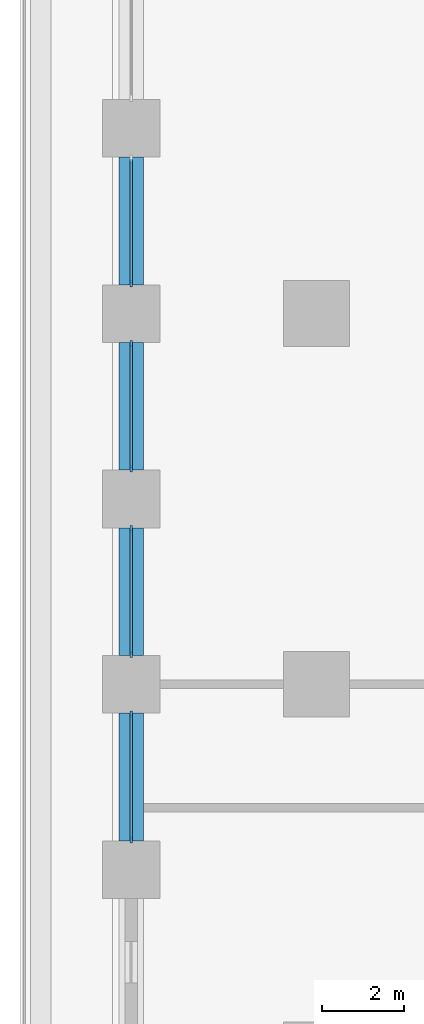
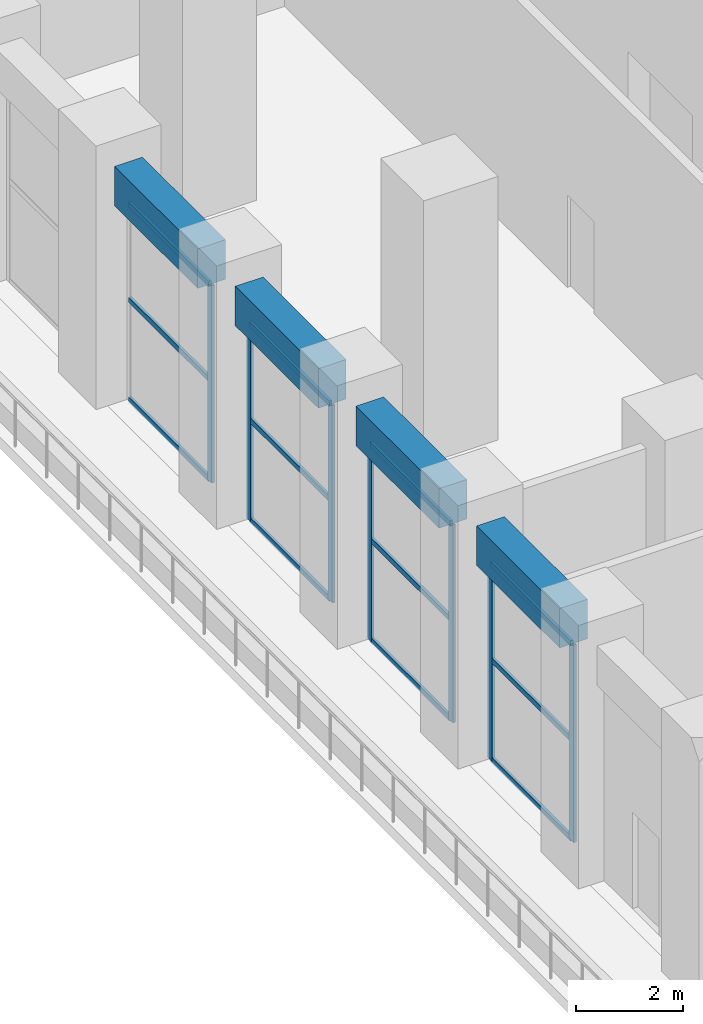
# One storey, part 3 of 19: 19 members, 4 beams, 4 elements without a shape of their own.
"""IFC4 building model written with IfcOpenShell, lengths in metres."""

from ifc_helpers import new_model, si_unit, direction, frame, origin, origin_2d, place, context, subcontext, project, spatial, rectangle, extrude, material, material_profile, profile_set, type_object, element, aggregate, save


model = new_model("IFC4")

# Units and contexts
model_context = context("Model", 3, precision=1e-05, world=origin(), true_north=direction((0.0, 1.0)))
body_context = subcontext(model_context, "Body", "Model", "MODEL_VIEW")
ifc_project = project(units=[si_unit("LENGTHUNIT", "METRE"), si_unit("AREAUNIT", "SQUARE_METRE"), si_unit("VOLUMEUNIT", "CUBIC_METRE"), si_unit("PLANEANGLEUNIT", "RADIAN"), si_unit("MASSUNIT", "GRAM", prefix="KILO")], contexts=[model_context])

# Site, building, storey
site_placement = place(None, origin())
site = spatial("IfcSite", under=ifc_project, at=site_placement, CompositionType="ELEMENT")
building_placement = place(site_placement, origin())
building = spatial("IfcBuilding", under=site, at=building_placement, Name="Corbel Stack Research Tower", CompositionType="ELEMENT")
storey_placement = place(building_placement, frame((0.0, 0.0, 70.60009765625)))
storey = spatial("IfcBuildingStorey", under=building, at=storey_placement, Name="L16", CompositionType="ELEMENT", Elevation=70.60009765625)

# Curtain wall, member
ifc_material_1 = material(Name="Aluminium frame, clear glass", Category="aluminium")
curtain_wall_type = type_object("IfcCurtainWallType", Name="Amenity floor curtain wall CW2", PredefinedType="NOTDEFINED", material=ifc_material_1)
curtain_wall_1_placement = place(storey_placement, origin())
curtain_wall_1 = element("IfcCurtainWall", 1, at=curtain_wall_1_placement, inside=storey, type_object=curtain_wall_type, Name="Curtain wall CW2 L16 W05", PredefinedType="NOTDEFINED")
ifc_material_2 = material(Name="Aluminium mullion", Category="aluminium")
ifc_material_profile_1 = material_profile(ifc_material_2, rectangle(XDim=0.06005859375, YDim=0.159912109375, at=origin_2d()), Name="Mullion 60 x 160")
ifc_profile_set_1 = profile_set([ifc_material_profile_1], Name="Aluminium mullion")
member_type_1 = type_object("IfcMemberType", Name="Curtain wall mullion 60 x 160", PredefinedType="MULLION", material=ifc_profile_set_1)
member_1_placement = place(storey_placement, frame((-22.5, 0.72998046875, 0.0), z_axis=(0.0, 0.0, 1.0), x_axis=(1.0, 0.0, 0.0)))
member_1 = element("IfcMember", 2, at=member_1_placement, type_object=member_type_1, Name="CW2 L16 W05 mullion 2", PredefinedType="MULLION", context=body_context, shape_type="SweptSolid", body=[
    extrude(rectangle(XDim=0.06005859375, YDim=0.159912109375, at=origin_2d()), origin(), (0.0, 0.0, 1.0), 4.5),
])

# Curtain wall, members
curtain_wall_2_placement = place(storey_placement, origin())
curtain_wall_2 = element("IfcCurtainWall", 3, at=curtain_wall_2_placement, inside=storey, type_object=curtain_wall_type, Name="Curtain wall CW2 L16 W06", PredefinedType="NOTDEFINED")
member_2_placement = place(storey_placement, frame((-22.5, -0.72998046875, 0.0), z_axis=(0.0, 0.0, 1.0), x_axis=(1.0, 0.0, 0.0)))
member_2 = element("IfcMember", 4, at=member_2_placement, type_object=member_type_1, Name="CW2 L16 W06 mullion 1", PredefinedType="MULLION", context=body_context, shape_type="SweptSolid", body=[
    extrude(rectangle(XDim=0.06005859375, YDim=0.159912109375, at=origin_2d()), origin(), (0.0, 0.0, 1.0), 4.5),
])
member_3_placement = place(storey_placement, frame((-22.5, -3.77001953125, 0.0), z_axis=(0.0, 0.0, 1.0), x_axis=(1.0, 0.0, 0.0)))
member_3 = element("IfcMember", 5, at=member_3_placement, type_object=member_type_1, Name="CW2 L16 W06 mullion 2", PredefinedType="MULLION", context=body_context, shape_type="SweptSolid", body=[
    extrude(rectangle(XDim=0.06005859375, YDim=0.159912109375, at=origin_2d()), origin(), (0.0, 0.0, 1.0), 4.5),
])

curtain_wall_3_placement = place(storey_placement, origin())
curtain_wall_3 = element("IfcCurtainWall", 6, at=curtain_wall_3_placement, inside=storey, type_object=curtain_wall_type, Name="Curtain wall CW2 L16 W07", PredefinedType="NOTDEFINED")
member_4_placement = place(storey_placement, frame((-22.5, -5.22998046875, 0.0), z_axis=(0.0, 0.0, 1.0), x_axis=(1.0, 0.0, 0.0)))
member_4 = element("IfcMember", 7, at=member_4_placement, type_object=member_type_1, Name="CW2 L16 W07 mullion 1", PredefinedType="MULLION", context=body_context, shape_type="SweptSolid", body=[
    extrude(rectangle(XDim=0.06005859375, YDim=0.159912109375, at=origin_2d()), origin(), (0.0, 0.0, 1.0), 4.5),
])
member_5_placement = place(storey_placement, frame((-22.5, -8.27001953125, 0.0), z_axis=(0.0, 0.0, 1.0), x_axis=(1.0, 0.0, 0.0)))
member_5 = element("IfcMember", 8, at=member_5_placement, type_object=member_type_1, Name="CW2 L16 W07 mullion 2", PredefinedType="MULLION", context=body_context, shape_type="SweptSolid", body=[
    extrude(rectangle(XDim=0.06005859375, YDim=0.159912109375, at=origin_2d()), origin(), (0.0, 0.0, 1.0), 4.5),
])

curtain_wall_4_placement = place(storey_placement, origin())
curtain_wall_4 = element("IfcCurtainWall", 9, at=curtain_wall_4_placement, inside=storey, type_object=curtain_wall_type, Name="Curtain wall CW2 L16 W08", PredefinedType="NOTDEFINED")
member_6_placement = place(storey_placement, frame((-22.5, -9.72998046875, 0.0), z_axis=(0.0, 0.0, 1.0), x_axis=(1.0, 0.0, 0.0)))
member_6 = element("IfcMember", 10, at=member_6_placement, type_object=member_type_1, Name="CW2 L16 W08 mullion 1", PredefinedType="MULLION", context=body_context, shape_type="SweptSolid", body=[
    extrude(rectangle(XDim=0.06005859375, YDim=0.159912109375, at=origin_2d()), origin(), (0.0, 0.0, 1.0), 4.5),
])
member_7_placement = place(storey_placement, frame((-22.5, -12.77001953125, 0.0), z_axis=(0.0, 0.0, 1.0), x_axis=(1.0, 0.0, 0.0)))
member_7 = element("IfcMember", 11, at=member_7_placement, type_object=member_type_1, Name="CW2 L16 W08 mullion 2", PredefinedType="MULLION", context=body_context, shape_type="SweptSolid", body=[
    extrude(rectangle(XDim=0.06005859375, YDim=0.159912109375, at=origin_2d()), origin(), (0.0, 0.0, 1.0), 4.5),
])

# Member
ifc_material_3 = material(Name="Aluminium transom", Category="aluminium")
ifc_material_profile_2 = material_profile(ifc_material_3, rectangle(XDim=0.06005859375, YDim=0.1201171875, at=origin_2d()), Name="Transom 60 x 120")
ifc_profile_set_2 = profile_set([ifc_material_profile_2], Name="Aluminium transom")
member_type_2 = type_object("IfcMemberType", Name="Curtain wall transom 60 x 120", PredefinedType="USERDEFINED", material=ifc_profile_set_2)
member_8_placement = place(storey_placement, frame((-22.5, 3.739990234375, 0.02978515625), z_axis=(0.0, -1.0, 0.0), x_axis=(1.0, 0.0, 0.0)))
member_8 = element("IfcMember", 12, at=member_8_placement, type_object=member_type_2, Name="CW2 L16 W05 transom 1.1", ObjectType="TRANSOM", PredefinedType="USERDEFINED", context=body_context, shape_type="SweptSolid", body=[
    extrude(rectangle(XDim=0.06005859375, YDim=0.1201171875, at=origin_2d()), origin(), (0.0, 0.0, 1.0), 2.97998046875),
])

member_9_placement = place(storey_placement, frame((-22.5, 3.739990234375, 2.2998046875), z_axis=(0.0, -1.0, 0.0), x_axis=(1.0, 0.0, 0.0)))
member_9 = element("IfcMember", 13, at=member_9_placement, type_object=member_type_2, Name="CW2 L16 W05 transom 1.2", ObjectType="TRANSOM", PredefinedType="USERDEFINED", context=body_context, shape_type="SweptSolid", body=[
    extrude(rectangle(XDim=0.06005859375, YDim=0.1201171875, at=origin_2d()), origin(), (0.0, 0.0, 1.0), 2.97998046875),
])

member_10_placement = place(storey_placement, frame((-22.5, 3.739990234375, 4.469970703125), z_axis=(0.0, -1.0, 0.0), x_axis=(1.0, 0.0, 0.0)))
member_10 = element("IfcMember", 14, at=member_10_placement, type_object=member_type_2, Name="CW2 L16 W05 transom 1.3", ObjectType="TRANSOM", PredefinedType="USERDEFINED", context=body_context, shape_type="SweptSolid", body=[
    extrude(rectangle(XDim=0.06005859375, YDim=0.1201171875, at=origin_2d()), origin(), (0.0, 0.0, 1.0), 2.97998046875),
])

aggregate(curtain_wall_1, [member_1, member_8, member_9, member_10])

member_11_placement = place(storey_placement, frame((-22.5, -0.760009765625, 0.02978515625), z_axis=(0.0, -1.0, 0.0), x_axis=(1.0, 0.0, 0.0)))
member_11 = element("IfcMember", 15, at=member_11_placement, type_object=member_type_2, Name="CW2 L16 W06 transom 1.1", ObjectType="TRANSOM", PredefinedType="USERDEFINED", context=body_context, shape_type="SweptSolid", body=[
    extrude(rectangle(XDim=0.06005859375, YDim=0.1201171875, at=origin_2d()), origin(), (0.0, 0.0, 1.0), 2.97998046875),
])

member_12_placement = place(storey_placement, frame((-22.5, -0.760009765625, 2.2998046875), z_axis=(0.0, -1.0, 0.0), x_axis=(1.0, 0.0, 0.0)))
member_12 = element("IfcMember", 16, at=member_12_placement, type_object=member_type_2, Name="CW2 L16 W06 transom 1.2", ObjectType="TRANSOM", PredefinedType="USERDEFINED", context=body_context, shape_type="SweptSolid", body=[
    extrude(rectangle(XDim=0.06005859375, YDim=0.1201171875, at=origin_2d()), origin(), (0.0, 0.0, 1.0), 2.97998046875),
])

member_13_placement = place(storey_placement, frame((-22.5, -0.760009765625, 4.469970703125), z_axis=(0.0, -1.0, 0.0), x_axis=(1.0, 0.0, 0.0)))
member_13 = element("IfcMember", 17, at=member_13_placement, type_object=member_type_2, Name="CW2 L16 W06 transom 1.3", ObjectType="TRANSOM", PredefinedType="USERDEFINED", context=body_context, shape_type="SweptSolid", body=[
    extrude(rectangle(XDim=0.06005859375, YDim=0.1201171875, at=origin_2d()), origin(), (0.0, 0.0, 1.0), 2.97998046875),
])

aggregate(curtain_wall_2, [member_2, member_3, member_11, member_12, member_13])

member_14_placement = place(storey_placement, frame((-22.5, -5.260009765625, 0.02978515625), z_axis=(0.0, -1.0, 0.0), x_axis=(1.0, 0.0, 0.0)))
member_14 = element("IfcMember", 18, at=member_14_placement, type_object=member_type_2, Name="CW2 L16 W07 transom 1.1", ObjectType="TRANSOM", PredefinedType="USERDEFINED", context=body_context, shape_type="SweptSolid", body=[
    extrude(rectangle(XDim=0.06005859375, YDim=0.1201171875, at=origin_2d()), origin(), (0.0, 0.0, 1.0), 2.97998046875),
])

member_15_placement = place(storey_placement, frame((-22.5, -5.260009765625, 2.2998046875), z_axis=(0.0, -1.0, 0.0), x_axis=(1.0, 0.0, 0.0)))
member_15 = element("IfcMember", 19, at=member_15_placement, type_object=member_type_2, Name="CW2 L16 W07 transom 1.2", ObjectType="TRANSOM", PredefinedType="USERDEFINED", context=body_context, shape_type="SweptSolid", body=[
    extrude(rectangle(XDim=0.06005859375, YDim=0.1201171875, at=origin_2d()), origin(), (0.0, 0.0, 1.0), 2.97998046875),
])

member_16_placement = place(storey_placement, frame((-22.5, -5.260009765625, 4.469970703125), z_axis=(0.0, -1.0, 0.0), x_axis=(1.0, 0.0, 0.0)))
member_16 = element("IfcMember", 20, at=member_16_placement, type_object=member_type_2, Name="CW2 L16 W07 transom 1.3", ObjectType="TRANSOM", PredefinedType="USERDEFINED", context=body_context, shape_type="SweptSolid", body=[
    extrude(rectangle(XDim=0.06005859375, YDim=0.1201171875, at=origin_2d()), origin(), (0.0, 0.0, 1.0), 2.97998046875),
])

aggregate(curtain_wall_3, [member_4, member_5, member_14, member_15, member_16])

member_17_placement = place(storey_placement, frame((-22.5, -9.760009765625, 0.02978515625), z_axis=(0.0, -1.0, 0.0), x_axis=(1.0, 0.0, 0.0)))
member_17 = element("IfcMember", 21, at=member_17_placement, type_object=member_type_2, Name="CW2 L16 W08 transom 1.1", ObjectType="TRANSOM", PredefinedType="USERDEFINED", context=body_context, shape_type="SweptSolid", body=[
    extrude(rectangle(XDim=0.06005859375, YDim=0.1201171875, at=origin_2d()), origin(), (0.0, 0.0, 1.0), 2.97998046875),
])

member_18_placement = place(storey_placement, frame((-22.5, -9.760009765625, 2.2998046875), z_axis=(0.0, -1.0, 0.0), x_axis=(1.0, 0.0, 0.0)))
member_18 = element("IfcMember", 22, at=member_18_placement, type_object=member_type_2, Name="CW2 L16 W08 transom 1.2", ObjectType="TRANSOM", PredefinedType="USERDEFINED", context=body_context, shape_type="SweptSolid", body=[
    extrude(rectangle(XDim=0.06005859375, YDim=0.1201171875, at=origin_2d()), origin(), (0.0, 0.0, 1.0), 2.97998046875),
])

member_19_placement = place(storey_placement, frame((-22.5, -9.760009765625, 4.469970703125), z_axis=(0.0, -1.0, 0.0), x_axis=(1.0, 0.0, 0.0)))
member_19 = element("IfcMember", 23, at=member_19_placement, type_object=member_type_2, Name="CW2 L16 W08 transom 1.3", ObjectType="TRANSOM", PredefinedType="USERDEFINED", context=body_context, shape_type="SweptSolid", body=[
    extrude(rectangle(XDim=0.06005859375, YDim=0.1201171875, at=origin_2d()), origin(), (0.0, 0.0, 1.0), 2.97998046875),
])

aggregate(curtain_wall_4, [member_6, member_7, member_17, member_18, member_19])

# Beams
ifc_material_4 = material(Name="Concrete C60/75", Category="concrete")
ifc_material_profile_3 = material_profile(ifc_material_4, rectangle(XDim=0.60009765625, YDim=0.89990234375, at=origin_2d()), Name="RC 600 x 900")
ifc_profile_set_3 = profile_set([ifc_material_profile_3], Name="Concrete C60/75")
beam_type = type_object("IfcBeamType", Name="SB-600-900-600", PredefinedType="SPANDREL", material=ifc_profile_set_3)
for number, where, z_axis, x_axis, name in (
    (24, (-22.5, 3.800048828125, 4.949951171875), (0.0, -1.0, 0.0), (1.0, 0.0, 0.0), "Spandrel beam L16-38"),
    (25, (-22.5, -0.699951171875, 4.949951171875), (0.0, -1.0, 0.0), (1.0, 0.0, 0.0), "Spandrel beam L16-39"),
    (26, (-22.5, -5.199951171875, 4.949951171875), (0.0, -1.0, 0.0), (1.0, 0.0, 0.0), "Spandrel beam L16-40"),
    (27, (-22.5, -9.699951171875, 4.949951171875), (0.0, -1.0, 0.0), (1.0, 0.0, 0.0), "Spandrel beam L16-41"),
):
    element("IfcBeam", number, at=place(storey_placement, frame(where, z_axis=z_axis, x_axis=x_axis)), inside=storey, type_object=beam_type, Name=name, PredefinedType="SPANDREL", context=body_context, shape_type="SweptSolid", body=[
        extrude(rectangle(XDim=0.60009765625, YDim=0.89990234375, at=origin_2d()), origin(), (0.0, 0.0, 1.0), 3.10009765625),
    ])

save(model, "model.ifc")
